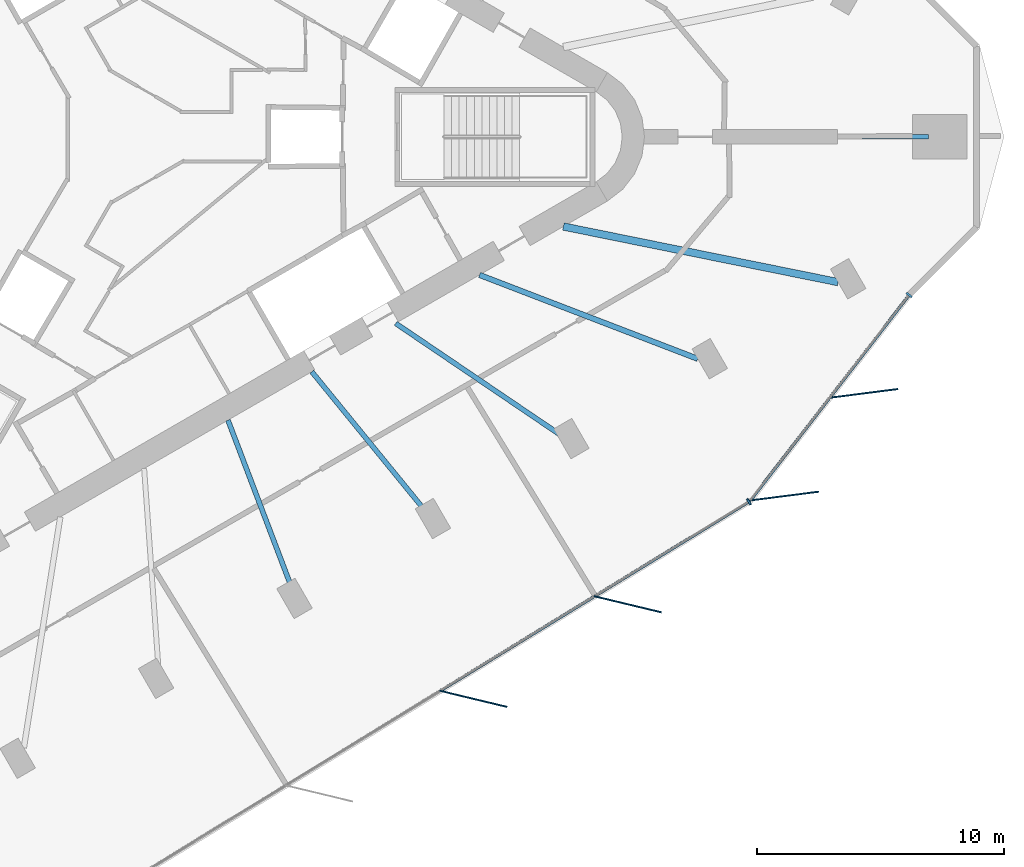
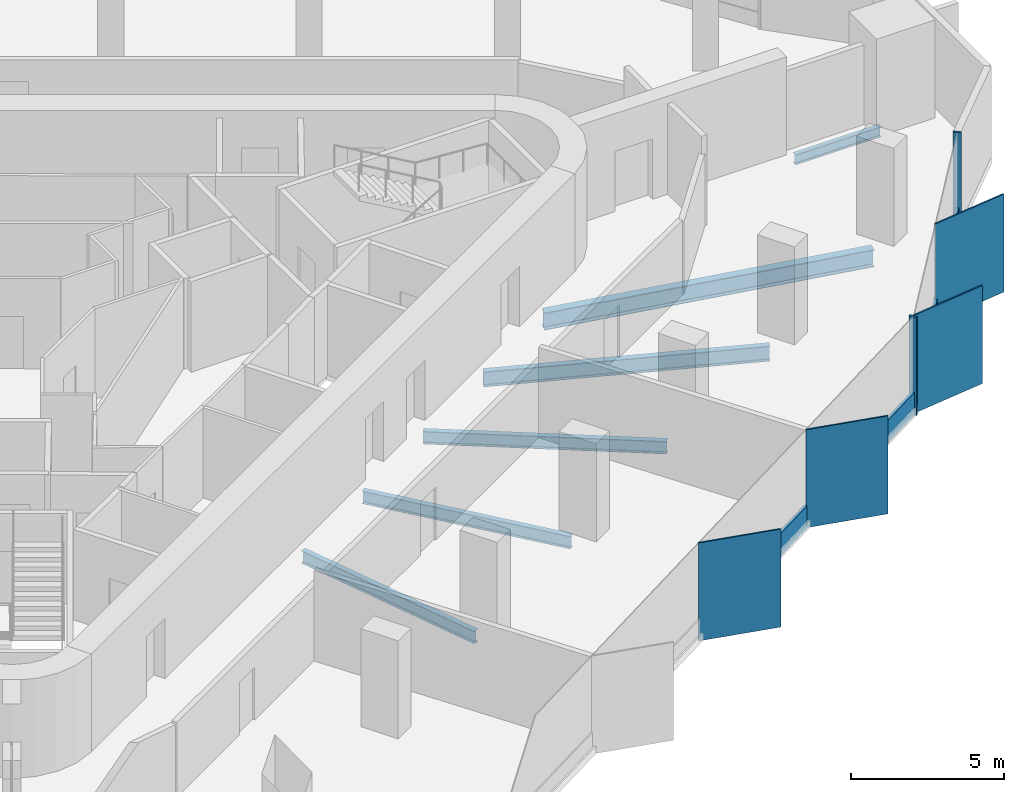
# One storey, part 3 of 12: 10 members, 6 beams, 2 elements without a shape of their own.
"""IFC4 building model written with IfcOpenShell, lengths in metres."""

from ifc_helpers import new_model, si_unit, direction, frame, origin, origin_2d, place, context, subcontext, project, spatial, rectangle, i_section, extrude, material, material_profile, profile_set, type_object, element, aggregate, save


model = new_model("IFC4")

# Units and contexts
model_context = context("Model", 3, precision=1e-05, world=origin(), true_north=direction((0.0, 1.0)))
body_context = subcontext(model_context, "Body", "Model", "MODEL_VIEW")
ifc_project = project(units=[si_unit("LENGTHUNIT", "METRE"), si_unit("AREAUNIT", "SQUARE_METRE"), si_unit("VOLUMEUNIT", "CUBIC_METRE"), si_unit("PLANEANGLEUNIT", "RADIAN"), si_unit("MASSUNIT", "GRAM", prefix="KILO")], contexts=[model_context])

# Site, building, storey
site_placement = place(None, origin())
site = spatial("IfcSite", under=ifc_project, at=site_placement, CompositionType="ELEMENT")
building_placement = place(site_placement, origin())
building = spatial("IfcBuilding", under=site, at=building_placement, Name="Tanit Gate Tower", CompositionType="ELEMENT")
storey_placement = place(building_placement, frame((0.0, 0.0, 345.5)))
storey = spatial("IfcBuildingStorey", under=building, at=storey_placement, Name="L78", CompositionType="ELEMENT", Elevation=345.5)

# Curtain wall, members
ifc_material_1 = material(Name="Aluminium bronze anodised and glass", Category="aluminium")
curtain_wall_type = type_object("IfcCurtainWallType", Name="Curtain wall typical high", PredefinedType="NOTDEFINED", material=ifc_material_1)
curtain_wall_1_placement = place(storey_placement, origin())
curtain_wall_1 = element("IfcCurtainWall", 1, at=curtain_wall_1_placement, inside=storey, type_object=curtain_wall_type, Name="Curtain wall L78 SE2", PredefinedType="NOTDEFINED")
ifc_material_2 = material(Name="Aluminium bronze anodised", Category="aluminium")
ifc_material_profile_1 = material_profile(ifc_material_2, rectangle(XDim=2.800048828125, YDim=0.055908203125, at=origin_2d()), Name="56x2800 bronze fin mullion")
ifc_profile_set_1 = profile_set([ifc_material_profile_1], Name="Aluminium bronze anodised")
member_type_1 = type_object("IfcMemberType", Name="FIN MULLION 56x2800 bronze", PredefinedType="MULLION", material=ifc_profile_set_1)
member_1_placement = place(storey_placement, frame((14.2783203125, -22.727783203125, -0.300048828125), z_axis=(0.0, 0.0, 1.0), x_axis=(-0.972310815553, 0.233691416098, 0.0)))
member_1 = element("IfcMember", 2, at=member_1_placement, type_object=member_type_1, Name="Fin mullion L78 SE2.3", PredefinedType="MULLION", context=body_context, shape_type="SweptSolid", body=[
    extrude(rectangle(XDim=2.800048828125, YDim=0.055908203125, at=origin_2d()), origin(), (0.0, 0.0, 1.0), 3.900146484375),
])
member_2_placement = place(storey_placement, frame((20.521484375, -18.904296875, -0.300048828125), z_axis=(0.0, 0.0, 1.0), x_axis=(-0.972310815553, 0.233691416098, 0.0)))
member_2 = element("IfcMember", 3, at=member_2_placement, type_object=member_type_1, Name="Fin mullion L78 SE2.4", PredefinedType="MULLION", context=body_context, shape_type="SweptSolid", body=[
    extrude(rectangle(XDim=2.800048828125, YDim=0.055908203125, at=origin_2d()), origin(), (0.0, 0.0, 1.0), 3.900146484375),
])

curtain_wall_2_placement = place(storey_placement, origin())
curtain_wall_2 = element("IfcCurtainWall", 4, at=curtain_wall_2_placement, inside=storey, type_object=curtain_wall_type, Name="Curtain wall L78 SE3", PredefinedType="NOTDEFINED")
member_3_placement = place(storey_placement, frame((26.85009765625, -14.5302734375, -0.300048828125), z_axis=(0.0, 0.0, 1.0), x_axis=(-0.991908319997, -0.126956231515, 0.0)))
member_3 = element("IfcMember", 5, at=member_3_placement, type_object=member_type_1, Name="Fin mullion L78 SE3.1", PredefinedType="MULLION", context=body_context, shape_type="SweptSolid", body=[
    extrude(rectangle(XDim=2.800048828125, YDim=0.055908203125, at=origin_2d()), origin(), (0.0, 0.0, 1.0), 3.900146484375),
])
member_4_placement = place(storey_placement, frame((30.060791015625, -10.377197265625, -0.300048828125), z_axis=(0.0, 0.0, 1.0), x_axis=(-0.991908319997, -0.126956231515, 0.0)))
member_4 = element("IfcMember", 6, at=member_4_placement, type_object=member_type_1, Name="Fin mullion L78 SE3.2", PredefinedType="MULLION", context=body_context, shape_type="SweptSolid", body=[
    extrude(rectangle(XDim=2.800048828125, YDim=0.055908203125, at=origin_2d()), origin(), (0.0, 0.0, 1.0), 3.900146484375),
])

# Member
ifc_material_3 = material(Name="Aluminium bronze anodised", Category="aluminium")
ifc_material_profile_2 = material_profile(ifc_material_3, rectangle(XDim=0.280029296875, YDim=0.080078125, at=origin_2d()), Name="80x280 bronze mullion")
ifc_profile_set_2 = profile_set([ifc_material_profile_2], Name="Aluminium bronze anodised")
member_type_2 = type_object("IfcMemberType", Name="Mullion 80x280 typical high", PredefinedType="MULLION", material=ifc_profile_set_2)
member_5_placement = place(storey_placement, frame((25.42236328125, -14.758056640625, -0.300048828125), z_axis=(0.0, 0.0, 1.0), x_axis=(-0.522282786071, 0.852772356127, 0.0)))
member_5 = element("IfcMember", 7, at=member_5_placement, type_object=member_type_2, Name="Mullion L78 SE2.5", PredefinedType="MULLION", context=body_context, shape_type="SweptSolid", body=[
    extrude(rectangle(XDim=0.280029296875, YDim=0.080078125, at=origin_2d()), origin(), (0.0, 0.0, 1.0), 3.900146484375),
])

member_6_placement = place(storey_placement, frame((31.902587890625, -6.399169921875, -0.300048828125), z_axis=(0.0, 0.0, 1.0), x_axis=(-0.791156711604, 0.611613487167, 0.0)))
member_6 = element("IfcMember", 8, at=member_6_placement, type_object=member_type_2, Name="Mullion L78 SE3.3", PredefinedType="MULLION", context=body_context, shape_type="SweptSolid", body=[
    extrude(rectangle(XDim=0.280029296875, YDim=0.080078125, at=origin_2d()), origin(), (0.0, 0.0, 1.0), 3.900146484375),
])

# Beams
ifc_material_4 = material(Name="Steel S355", Category="steel")
ifc_material_profile_3 = material_profile(ifc_material_4, i_section(OverallWidth=0.300048828125, OverallDepth=0.68994140625, WebThickness=0.014404296875, FlangeThickness=0.027099609375, FilletRadius=0.027099609375, at=origin_2d()), Name="HEA 700")
ifc_profile_set_3 = profile_set([ifc_material_profile_3], Name="Steel S355")
beam_type_1 = type_object("IfcBeamType", Name="RADIAL GIRDER HEA 700 S355", PredefinedType="BEAM", material=ifc_profile_set_3)
beam_1_placement = place(storey_placement, frame((29.02587890625, -5.876953125, -0.64501953125), z_axis=(-0.980109678628, 0.198456589357, 0.0), x_axis=(-0.198456589357, -0.980109678628, 0.0)))
element("IfcBeam", 9, at=beam_1_placement, inside=storey, type_object=beam_type_1, Name="RADIAL GIRDER", PredefinedType="BEAM", context=body_context, shape_type="SweptSolid", body=[
    extrude(i_section(OverallWidth=0.300048828125, OverallDepth=0.68994140625, WebThickness=0.014404296875, FlangeThickness=0.027099609375, FilletRadius=0.027099609375, at=origin_2d()), origin(), (0.0, 0.0, 1.0), 11.331298828125),
])
ifc_material_5 = material(Name="Steel S355", Category="steel")
ifc_material_profile_4 = material_profile(ifc_material_5, i_section(OverallWidth=0.179931640625, OverallDepth=0.39990234375, WebThickness=0.008544921875, FlangeThickness=0.013427734375, FilletRadius=0.02099609375, at=origin_2d()), Name="IPE 400")
ifc_profile_set_4 = profile_set([ifc_material_profile_4], Name="Steel S355")
beam_type_2 = type_object("IfcBeamType", Name="RADIAL GIRDER IPE 400 S355", PredefinedType="BEAM", material=ifc_profile_set_4)
beam_2_placement = place(storey_placement, frame((32.687255859375, 0.0, -0.5), z_axis=(-1.0, 0.0, 0.0), x_axis=(0.0, -1.0, 0.0)))
element("IfcBeam", 10, at=beam_2_placement, inside=storey, type_object=beam_type_2, Name="RADIAL GIRDER", PredefinedType="BEAM", context=body_context, shape_type="SweptSolid", body=[
    extrude(i_section(OverallWidth=0.179931640625, OverallDepth=0.39990234375, WebThickness=0.008544921875, FlangeThickness=0.013427734375, FilletRadius=0.02099609375, at=origin_2d()), origin(), (0.0, 0.0, 1.0), 3.216552734375),
])
ifc_material_6 = material(Name="Steel S355", Category="steel")
ifc_material_profile_5 = material_profile(ifc_material_6, i_section(OverallWidth=0.199951171875, OverallDepth=0.5, WebThickness=0.01025390625, FlangeThickness=0.01611328125, FilletRadius=0.02099609375, at=origin_2d()), Name="IPE 500")
ifc_profile_set_5 = profile_set([ifc_material_profile_5], Name="Steel S355")
beam_type_3 = type_object("IfcBeamType", Name="RADIAL GIRDER IPE 500 S355", PredefinedType="BEAM", material=ifc_profile_set_5)
for number, where, z_axis, x_axis, name in (
    (11, (6.93798828125, -18.25439453125, -0.550048828125), (-0.355282914481, 0.934758819524, 0.0), (-0.934758819524, -0.355282914481, 0.0), "RADIAL GIRDER"),
    (12, (12.339599609375, -15.135498046875, -0.550048828125), (-0.631881514108, 0.775064998648, 0.0), (-0.775064998648, -0.631881514108, 0.0), "RADIAL GIRDER"),
):
    element("IfcBeam", number, at=place(storey_placement, frame(where, z_axis=z_axis, x_axis=x_axis)), inside=storey, type_object=beam_type_3, Name=name, PredefinedType="BEAM", context=body_context, shape_type="SweptSolid", body=[
        extrude(i_section(OverallWidth=0.199951171875, OverallDepth=0.5, WebThickness=0.01025390625, FlangeThickness=0.01611328125, FilletRadius=0.02099609375, at=origin_2d()), origin(), (0.0, 0.0, 1.0), 7.268798828125),
    ])
beam_3_placement = place(storey_placement, frame((17.741455078125, -12.016845703125, -0.550048828125), z_axis=(-0.827954450749, 0.560795352589, 0.0), x_axis=(-0.560795352589, -0.827954450749, 0.0)))
element("IfcBeam", 13, at=beam_3_placement, inside=storey, type_object=beam_type_3, Name="RADIAL GIRDER", PredefinedType="BEAM", context=body_context, shape_type="SweptSolid", body=[
    extrude(i_section(OverallWidth=0.199951171875, OverallDepth=0.5, WebThickness=0.01025390625, FlangeThickness=0.01611328125, FilletRadius=0.02099609375, at=origin_2d()), origin(), (0.0, 0.0, 1.0), 7.97607421875),
])
ifc_material_7 = material(Name="Steel S355", Category="steel")
ifc_material_profile_6 = material_profile(ifc_material_7, i_section(OverallWidth=0.219970703125, OverallDepth=0.60009765625, WebThickness=0.011962890625, FlangeThickness=0.01904296875, FilletRadius=0.02392578125, at=origin_2d()), Name="IPE 600")
ifc_profile_set_6 = profile_set([ifc_material_profile_6], Name="Steel S355")
beam_type_4 = type_object("IfcBeamType", Name="RADIAL GIRDER IPE 600 S355", PredefinedType="BEAM", material=ifc_profile_set_6)
beam_4_placement = place(storey_placement, frame((23.352783203125, -8.978759765625, -0.60009765625), z_axis=(-0.933390193585, 0.358863130622, 0.0), x_axis=(-0.358863130622, -0.933390193585, 0.0)))
element("IfcBeam", 14, at=beam_4_placement, inside=storey, type_object=beam_type_4, Name="RADIAL GIRDER", PredefinedType="BEAM", context=body_context, shape_type="SweptSolid", body=[
    extrude(i_section(OverallWidth=0.219970703125, OverallDepth=0.60009765625, WebThickness=0.011962890625, FlangeThickness=0.01904296875, FilletRadius=0.02392578125, at=origin_2d()), origin(), (0.0, 0.0, 1.0), 9.45361328125),
])

# Member
ifc_material_8 = material(Name="Aluminium bronze anodised", Category="aluminium")
ifc_material_profile_7 = material_profile(ifc_material_8, rectangle(XDim=0.1201171875, YDim=0.89990234375, at=origin_2d()), Name="120x900 bronze transom")
ifc_profile_set_7 = profile_set([ifc_material_profile_7], Name="Aluminium bronze anodised")
member_type_3 = type_object("IfcMemberType", Name="Transom 120x900 typical high", PredefinedType="USERDEFINED", material=ifc_profile_set_7)
member_7_placement = place(storey_placement, frame((12.970458984375, -22.384521484375, 0.14990234375), z_axis=(0.852759670924, 0.522303497639, 0.0), x_axis=(-0.522303497639, 0.852759670924, 0.0)))
member_7 = element("IfcMember", 15, at=member_7_placement, type_object=member_type_3, Name="Transom L78 SE2.3", ObjectType="TRANSOM", PredefinedType="USERDEFINED", context=body_context, shape_type="SweptSolid", body=[
    extrude(rectangle(XDim=0.1201171875, YDim=0.89990234375, at=origin_2d()), origin(), (0.0, 0.0, 1.0), 7.240966796875),
])

member_8_placement = place(storey_placement, frame((19.21337890625, -18.560791015625, 0.14990234375), z_axis=(0.852783884994, 0.522263961513, 0.0), x_axis=(-0.522263961513, 0.852783884994, 0.0)))
member_8 = element("IfcMember", 16, at=member_8_placement, type_object=member_type_3, Name="Transom L78 SE2.4", ObjectType="TRANSOM", PredefinedType="USERDEFINED", context=body_context, shape_type="SweptSolid", body=[
    extrude(rectangle(XDim=0.1201171875, YDim=0.89990234375, at=origin_2d()), origin(), (0.0, 0.0, 1.0), 7.240966796875),
])

aggregate(curtain_wall_1, [member_1, member_2, member_5, member_7, member_8])

member_9_placement = place(storey_placement, frame((25.505615234375, -14.673828125, 0.14990234375), z_axis=(0.611603409018, 0.791164502539, 0.0), x_axis=(-0.791164502539, 0.611603409018, 0.0)))
member_9 = element("IfcMember", 17, at=member_9_placement, type_object=member_type_3, Name="Transom L78 SE3.1", ObjectType="TRANSOM", PredefinedType="USERDEFINED", context=body_context, shape_type="SweptSolid", body=[
    extrude(rectangle(XDim=0.1201171875, YDim=0.89990234375, at=origin_2d()), origin(), (0.0, 0.0, 1.0), 5.16943359375),
])

member_10_placement = place(storey_placement, frame((28.71630859375, -10.520751953125, 0.14990234375), z_axis=(0.611580556954, 0.791182167618, 0.0), x_axis=(-0.791182167618, 0.611580556954, 0.0)))
member_10 = element("IfcMember", 18, at=member_10_placement, type_object=member_type_3, Name="Transom L78 SE3.2", ObjectType="TRANSOM", PredefinedType="USERDEFINED", context=body_context, shape_type="SweptSolid", body=[
    extrude(rectangle(XDim=0.1201171875, YDim=0.89990234375, at=origin_2d()), origin(), (0.0, 0.0, 1.0), 5.169677734375),
])

aggregate(curtain_wall_2, [member_3, member_4, member_6, member_9, member_10])

save(model, "model.ifc")
